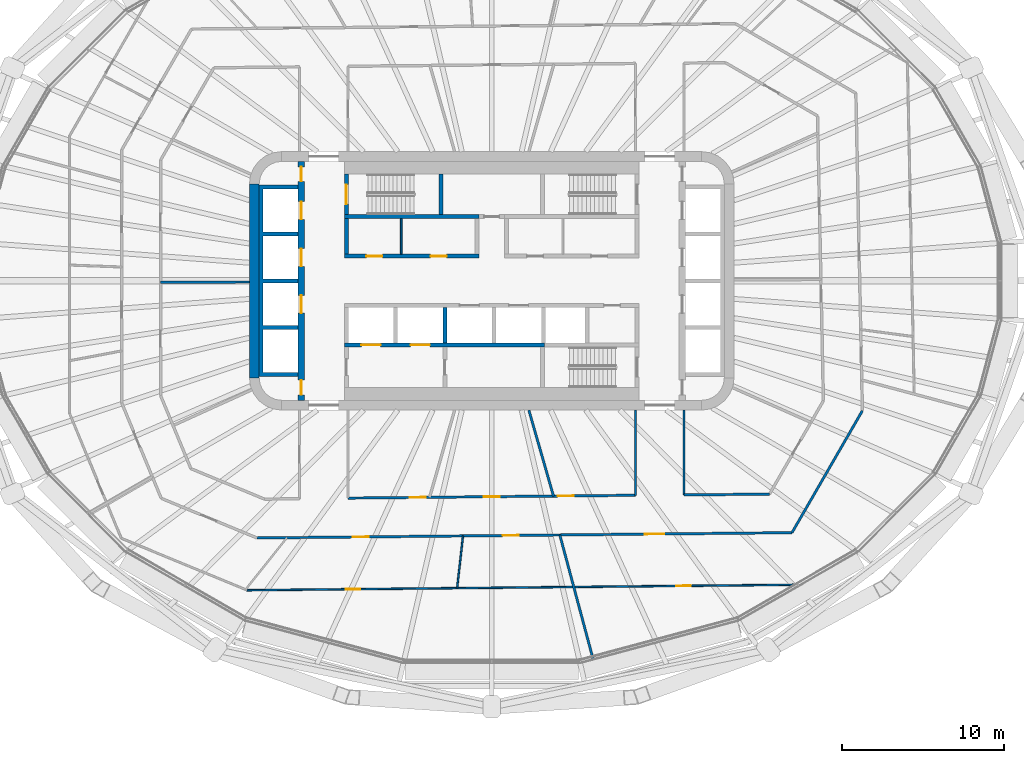
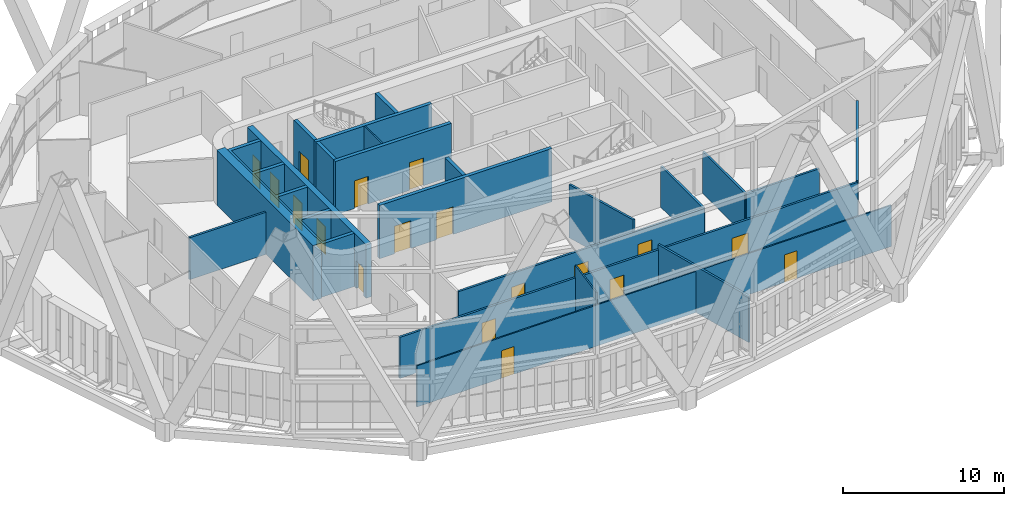
# One storey, part 14 of 25: 22 walls, 18 doors, 18 openings.
"""IFC4 building model written with IfcOpenShell, lengths in metres."""

from ifc_helpers import new_model, si_unit, direction, frame, frame_2d, origin, place, context, subcontext, project, spatial, polyline, rectangle, outline, extrude, material, layer, layer_set, type_object, element, fill, save


model = new_model("IFC4")

# Units and contexts
model_context = context("Model", 3, precision=1e-05, world=origin(), true_north=direction((0.0, 1.0)))
body_context = subcontext(model_context, "Body", "Model", "MODEL_VIEW")
ifc_project = project(units=[si_unit("LENGTHUNIT", "METRE"), si_unit("AREAUNIT", "SQUARE_METRE"), si_unit("VOLUMEUNIT", "CUBIC_METRE"), si_unit("PLANEANGLEUNIT", "RADIAN"), si_unit("MASSUNIT", "GRAM", prefix="KILO")], contexts=[model_context])

# Site, building, storey
site_placement = place(None, origin())
site = spatial("IfcSite", under=ifc_project, at=site_placement, CompositionType="ELEMENT")
building_placement = place(site_placement, origin())
building = spatial("IfcBuilding", under=site, at=building_placement, Name="Sahrelin Media Tower", CompositionType="ELEMENT")
storey_placement = place(building_placement, frame((0.0, 0.0, 79.800048828125)))
storey = spatial("IfcBuildingStorey", under=building, at=storey_placement, Name="L14", CompositionType="ELEMENT", Elevation=79.800048828125)

# Wall
ifc_material_1 = material(Name="Concrete C60/75", Category="concrete")
ifc_layer_1 = layer(ifc_material_1, 0.60009765625)
ifc_layer_set_1 = layer_set([ifc_layer_1], Name="Core wall 600")
wall_type_1 = type_object("IfcWallType", Name="Core wall 600", PredefinedType="SHEAR", material=ifc_layer_set_1)
wall_1_placement = place(storey_placement, frame((-14.699951171875, -6.0, 0.0), z_axis=(0.0, 0.0, 1.0), x_axis=(0.0, 1.0, 0.0)))
element("IfcWall", 1, at=wall_1_placement, inside=storey, type_object=wall_type_1, Name="Core wall W L14", PredefinedType="SHEAR", context=body_context, shape_type="SweptSolid", body=[
    extrude(rectangle(XDim=12.0, YDim=0.60009765625, at=frame_2d((6.0, 0.0))), origin(), (0.0, 0.0, 1.0), 4.199951171875),
])

# Wall, openings, doors
ifc_material_2 = material(Name="Fire-rated gypsum board partition")
ifc_layer_2 = layer(ifc_material_2, 0.25)
ifc_layer_set_2 = layer_set([ifc_layer_2], Name="Fire-rated lobby wall 250")
wall_type_2 = type_object("IfcWallType", Name="Fire-rated lobby wall 250", PredefinedType="PARTITIONING", material=ifc_layer_set_2)
wall_2_placement = place(storey_placement, frame((-9.125, 1.52490234375, 0.0), z_axis=(0.0, 0.0, 1.0), x_axis=(1.0, 0.0, 0.0)))
wall_2 = element("IfcWall", 2, at=wall_2_placement, inside=storey, type_object=wall_type_2, Name="Core lobby wall", PredefinedType="PARTITIONING", context=body_context, shape_type="SweptSolid", body=[
    extrude(rectangle(XDim=8.35009765625, YDim=0.25, at=frame_2d((4.175048828125, 0.0))), origin(), (0.0, 0.0, 1.0), 4.050048828125),
])
opening_1_placement = place(wall_2_placement, frame((1.362548828125, 0.0, 0.0)))
opening_1 = element("IfcOpeningElement", 3, at=opening_1_placement, cuts=wall_2, Name="Opening L14-D07", PredefinedType="OPENING", context=body_context, shape_type="SweptSolid", body=[
    extrude(rectangle(XDim=1.0, YDim=2.10009765625, at=frame_2d((0.5, 1.050048828125))), frame((0.0, 0.125, 0.0), z_axis=(0.0, -1.0, 0.0), x_axis=(1.0, 0.0, 0.0)), (0.0, 0.0, 1.0), 0.25),
])
opening_2_placement = place(wall_2_placement, frame((5.33740234375, 0.0, 0.0)))
opening_2 = element("IfcOpeningElement", 4, at=opening_2_placement, cuts=wall_2, Name="Opening L14-D08", PredefinedType="OPENING", context=body_context, shape_type="SweptSolid", body=[
    extrude(rectangle(XDim=1.0, YDim=2.10009765625, at=frame_2d((0.5, 1.050048828125))), frame((0.0, 0.125, 0.0), z_axis=(0.0, -1.0, 0.0), x_axis=(1.0, 0.0, 0.0)), (0.0, 0.0, 1.0), 0.25),
])
ifc_material_3 = material(Name="Steel fire door leaf", Category="steel")
door_type_1 = type_object("IfcDoorType", Name="Fire door 1000 x 2100 EI 60", OperationType="NOTDEFINED", PredefinedType="DOOR", material=ifc_material_3)
door_1_placement = place(opening_1_placement, origin())
door_1 = element("IfcDoor", 5, at=door_1_placement, inside=storey, type_object=door_type_1, Name="Core room door", OperationType="SINGLE_SWING_LEFT", OverallHeight=2.10009765625, OverallWidth=1.0, PredefinedType="DOOR", context=body_context, shape_type="SweptSolid", body=[
    extrude(rectangle(XDim=1.0, YDim=2.10009765625, at=frame_2d((0.5, 1.050048828125))), frame((0.0, 0.02490234375, 0.0), z_axis=(0.0, -1.0, 0.0), x_axis=(1.0, 0.0, 0.0)), (0.0, 0.0, 1.0), 0.050048828125),
])
fill(opening_1, door_1)
door_2_placement = place(opening_2_placement, origin())
door_2 = element("IfcDoor", 6, at=door_2_placement, inside=storey, type_object=door_type_1, Name="Core room door", OperationType="SINGLE_SWING_LEFT", OverallHeight=2.10009765625, OverallWidth=1.0, PredefinedType="DOOR", context=body_context, shape_type="SweptSolid", body=[
    extrude(rectangle(XDim=1.0, YDim=2.10009765625, at=frame_2d((0.5, 1.050048828125))), frame((0.0, 0.02490234375, 0.0), z_axis=(0.0, -1.0, 0.0), x_axis=(1.0, 0.0, 0.0)), (0.0, 0.0, 1.0), 0.050048828125),
])
fill(opening_2, door_2)

# Walls
wall_3_placement = place(storey_placement, frame((-9.0, 1.64990234375, 0.0), z_axis=(0.0, 0.0, 1.0), x_axis=(0.0, 1.0, 0.0)))
element("IfcWall", 7, at=wall_3_placement, inside=storey, type_object=wall_type_2, Name="Core lobby wall", PredefinedType="PARTITIONING", context=body_context, shape_type="SweptSolid", body=[
    extrude(rectangle(XDim=2.2001953125, YDim=0.25, at=frame_2d((1.10009765625, 0.0))), origin(), (0.0, 0.0, 1.0), 4.050048828125),
])
ifc_layer_3 = layer(ifc_material_2, 0.10009765625)
ifc_layer_set_3 = layer_set([ifc_layer_3], Name="Fire-rated partition 100")
wall_type_3 = type_object("IfcWallType", Name="Fire-rated partition 100", PredefinedType="PARTITIONING", material=ifc_layer_set_3)
wall_4_placement = place(storey_placement, frame((-5.60009765625, 1.64990234375, 0.0), z_axis=(0.0, 0.0, 1.0), x_axis=(0.0, 1.0, 0.0)))
element("IfcWall", 8, at=wall_4_placement, inside=storey, type_object=wall_type_3, Name="Core room partition", PredefinedType="PARTITIONING", context=body_context, shape_type="SweptSolid", body=[
    extrude(rectangle(XDim=2.2001953125, YDim=0.10009765625, at=frame_2d((1.10009765625, 0.0))), origin(), (0.0, 0.0, 1.0), 4.050048828125),
])
ifc_layer_4 = layer(ifc_material_2, 0.14990234375)
ifc_layer_set_4 = layer_set([ifc_layer_4], Name="Fire-rated partition 150")
wall_type_4 = type_object("IfcWallType", Name="Fire-rated partition 150", PredefinedType="PARTITIONING", material=ifc_layer_set_4)
wall_5_placement = place(storey_placement, frame((4.215087890625, -15.72998046875, 0.0), z_axis=(0.0, 0.0, 1.0), x_axis=(0.258746779093, -0.965945187011, 0.0)))
element("IfcWall", 9, at=wall_5_placement, inside=storey, type_object=wall_type_4, Name="Wall", PredefinedType="PARTITIONING", context=body_context, shape_type="SweptSolid", body=[
    extrude(rectangle(XDim=7.988037109375, YDim=0.14990234375, at=frame_2d((3.994140625, 0.0))), origin(), (0.0, 0.0, 1.0), 3.501708984375),
])
wall_6_placement = place(storey_placement, frame((2.2958984375, -8.0, 0.0), z_axis=(0.0, 0.0, 1.0), x_axis=(0.275935525478, -0.961176147113, 0.0)))
element("IfcWall", 10, at=wall_6_placement, inside=storey, type_object=wall_type_4, Name="Wall", PredefinedType="PARTITIONING", context=body_context, shape_type="SweptSolid", body=[
    extrude(rectangle(XDim=5.54833984375, YDim=0.14990234375, at=frame_2d((2.774169921875, 0.0))), origin(), (0.0, 0.0, 1.0), 4.050048828125),
])
wall_7_placement = place(storey_placement, frame((-20.5, -0.093994140625, 0.0), z_axis=(0.0, 0.0, 1.0), x_axis=(0.999990148138, 0.004438876723, 0.0)))
element("IfcWall", 11, at=wall_7_placement, inside=storey, type_object=wall_type_4, Name="Wall", PredefinedType="PARTITIONING", context=body_context, shape_type="SweptSolid", body=[
    extrude(rectangle(XDim=5.5, YDim=0.14990234375, at=frame_2d((2.75, 0.0))), origin(), (0.0, 0.0, 1.0), 3.195068359375),
])

# Wall, openings, doors
wall_8_placement = place(storey_placement, frame((-14.533935546875, -15.916015625, 0.0), z_axis=(0.0, 0.0, 1.0), x_axis=(0.99995100325, 0.009899045409, 0.0)))
wall_8 = element("IfcWall", 12, at=wall_8_placement, inside=storey, type_object=wall_type_4, Name="Wall", PredefinedType="PARTITIONING", context=body_context, shape_type="SweptSolid", body=[
    extrude(rectangle(XDim=33.12255859375, YDim=0.14990234375, at=frame_2d((16.561279296875, 0.0))), origin(), (0.0, 0.0, 1.0), 3.126953125),
])
opening_3_placement = place(wall_8_placement, frame((5.926513671875, 0.0, 0.0)))
opening_3 = element("IfcOpeningElement", 13, at=opening_3_placement, cuts=wall_8, Name="Opening L14-D35", PredefinedType="OPENING", context=body_context, shape_type="SweptSolid", body=[
    extrude(rectangle(XDim=1.0, YDim=2.10009765625, at=frame_2d((0.5, 1.050048828125))), frame((0.0, 0.074951171875, 0.0), z_axis=(0.0, -1.0, 0.0), x_axis=(1.0, 0.0, 0.0)), (0.0, 0.0, 1.0), 0.14990234375),
])
opening_4_placement = place(wall_8_placement, frame((15.202392578125, 0.0, 0.0)))
opening_4 = element("IfcOpeningElement", 14, at=opening_4_placement, cuts=wall_8, Name="Opening L14-D36", PredefinedType="OPENING", context=body_context, shape_type="SweptSolid", body=[
    extrude(rectangle(XDim=1.0, YDim=2.10009765625, at=frame_2d((0.5, 1.050048828125))), frame((0.0, 0.074951171875, 0.0), z_axis=(0.0, -1.0, 0.0), x_axis=(1.0, 0.0, 0.0)), (0.0, 0.0, 1.0), 0.14990234375),
])
opening_5_placement = place(wall_8_placement, frame((24.009521484375, 0.0, 0.0)))
opening_5 = element("IfcOpeningElement", 15, at=opening_5_placement, cuts=wall_8, Name="Opening L14-D38", PredefinedType="OPENING", context=body_context, shape_type="SweptSolid", body=[
    extrude(rectangle(XDim=1.199951171875, YDim=2.10009765625, at=frame_2d((0.60009765625, 1.050048828125))), frame((0.0, 0.074951171875, 0.0), z_axis=(0.0, -1.0, 0.0), x_axis=(1.0, 0.0, 0.0)), (0.0, 0.0, 1.0), 0.14990234375),
])
door_3_placement = place(opening_3_placement, origin())
door_3 = element("IfcDoor", 16, at=door_3_placement, inside=storey, type_object=door_type_1, Name="Fire door", OperationType="SINGLE_SWING_LEFT", OverallHeight=2.10009765625, OverallWidth=1.0, PredefinedType="DOOR", context=body_context, shape_type="SweptSolid", body=[
    extrude(rectangle(XDim=1.0, YDim=2.10009765625, at=frame_2d((0.5, 1.050048828125))), frame((0.0, 0.02490234375, 0.0), z_axis=(0.0, -1.0, 0.0), x_axis=(1.0, 0.0, 0.0)), (0.0, 0.0, 1.0), 0.050048828125),
])
fill(opening_3, door_3)
door_4_placement = place(opening_4_placement, origin())
door_4 = element("IfcDoor", 17, at=door_4_placement, inside=storey, type_object=door_type_1, Name="Fire door", OperationType="SINGLE_SWING_LEFT", OverallHeight=2.10009765625, OverallWidth=1.0, PredefinedType="DOOR", context=body_context, shape_type="SweptSolid", body=[
    extrude(rectangle(XDim=1.0, YDim=2.10009765625, at=frame_2d((0.5, 1.050048828125))), frame((0.0, 0.02490234375, 0.0), z_axis=(0.0, -1.0, 0.0), x_axis=(1.0, 0.0, 0.0)), (0.0, 0.0, 1.0), 0.050048828125),
])
fill(opening_4, door_4)
door_type_2 = type_object("IfcDoorType", Name="Service double door 1200 x 2100 EI 60", OperationType="DOUBLE_DOOR_SINGLE_SWING", PredefinedType="DOOR", material=ifc_material_3)
door_5_placement = place(opening_5_placement, origin())
door_5 = element("IfcDoor", 18, at=door_5_placement, inside=storey, type_object=door_type_2, Name="Service double door", OperationType="DOUBLE_DOOR_SINGLE_SWING", OverallHeight=2.10009765625, OverallWidth=1.199951171875, PredefinedType="DOOR", context=body_context, shape_type="SweptSolid", body=[
    extrude(rectangle(XDim=1.199951171875, YDim=2.10009765625, at=frame_2d((0.60009765625, 1.050048828125))), frame((0.0, 0.02490234375, 0.0), z_axis=(0.0, -1.0, 0.0), x_axis=(1.0, 0.0, 0.0)), (0.0, 0.0, 1.0), 0.050048828125),
])
fill(opening_5, door_5)

wall_9_placement = place(storey_placement, frame((-8.89990234375, -13.448974609375, 0.0), z_axis=(0.0, 0.0, 1.0), x_axis=(0.999950969978, 0.009902405776, 0.0)))
wall_9 = element("IfcWall", 19, at=wall_9_placement, inside=storey, type_object=wall_type_4, Name="Wall", PredefinedType="PARTITIONING", context=body_context, shape_type="SweptSolid", body=[
    extrude(rectangle(XDim=17.80078125, YDim=0.14990234375, at=frame_2d((8.900390625, 0.0))), origin(), (0.0, 0.0, 1.0), 3.126953125),
])
opening_6_placement = place(wall_9_placement, frame((3.81787109375, 0.0, 0.0)))
opening_6 = element("IfcOpeningElement", 20, at=opening_6_placement, cuts=wall_9, Name="Opening L14-D20", PredefinedType="OPENING", context=body_context, shape_type="SweptSolid", body=[
    extrude(rectangle(XDim=1.0, YDim=2.10009765625, at=frame_2d((0.5, 1.050048828125))), frame((0.0, 0.074951171875, 0.0), z_axis=(0.0, -1.0, 0.0), x_axis=(1.0, 0.0, 0.0)), (0.0, 0.0, 1.0), 0.14990234375),
])
opening_7_placement = place(wall_9_placement, frame((8.390625, 0.0, 0.0)))
opening_7 = element("IfcOpeningElement", 21, at=opening_7_placement, cuts=wall_9, Name="Opening L14-D21", PredefinedType="OPENING", context=body_context, shape_type="SweptSolid", body=[
    extrude(rectangle(XDim=1.0, YDim=2.10009765625, at=frame_2d((0.5, 1.050048828125))), frame((0.0, 0.074951171875, 0.0), z_axis=(0.0, -1.0, 0.0), x_axis=(1.0, 0.0, 0.0)), (0.0, 0.0, 1.0), 0.14990234375),
])
opening_8_placement = place(wall_9_placement, frame((12.974365234375, 0.0, 0.0)))
opening_8 = element("IfcOpeningElement", 22, at=opening_8_placement, cuts=wall_9, Name="Opening L14-D22", PredefinedType="OPENING", context=body_context, shape_type="SweptSolid", body=[
    extrude(rectangle(XDim=1.0, YDim=2.10009765625, at=frame_2d((0.5, 1.050048828125))), frame((0.0, 0.074951171875, 0.0), z_axis=(0.0, -1.0, 0.0), x_axis=(1.0, 0.0, 0.0)), (0.0, 0.0, 1.0), 0.14990234375),
])
door_6_placement = place(opening_6_placement, origin())
door_6 = element("IfcDoor", 23, at=door_6_placement, inside=storey, type_object=door_type_1, Name="Fire door", OperationType="SINGLE_SWING_LEFT", OverallHeight=2.10009765625, OverallWidth=1.0, PredefinedType="DOOR", context=body_context, shape_type="SweptSolid", body=[
    extrude(rectangle(XDim=1.0, YDim=2.10009765625, at=frame_2d((0.5, 1.050048828125))), frame((0.0, 0.02490234375, 0.0), z_axis=(0.0, -1.0, 0.0), x_axis=(1.0, 0.0, 0.0)), (0.0, 0.0, 1.0), 0.050048828125),
])
fill(opening_6, door_6)
door_7_placement = place(opening_7_placement, origin())
door_7 = element("IfcDoor", 24, at=door_7_placement, inside=storey, type_object=door_type_1, Name="Fire door", OperationType="SINGLE_SWING_LEFT", OverallHeight=2.10009765625, OverallWidth=1.0, PredefinedType="DOOR", context=body_context, shape_type="SweptSolid", body=[
    extrude(rectangle(XDim=1.0, YDim=2.10009765625, at=frame_2d((0.5, 1.050048828125))), frame((0.0, 0.02490234375, 0.0), z_axis=(0.0, -1.0, 0.0), x_axis=(1.0, 0.0, 0.0)), (0.0, 0.0, 1.0), 0.050048828125),
])
fill(opening_7, door_7)
door_8_placement = place(opening_8_placement, origin())
door_8 = element("IfcDoor", 25, at=door_8_placement, inside=storey, type_object=door_type_1, Name="Fire door", OperationType="SINGLE_SWING_RIGHT", OverallHeight=2.10009765625, OverallWidth=1.0, PredefinedType="DOOR", context=body_context, shape_type="SweptSolid", body=[
    extrude(rectangle(XDim=1.0, YDim=2.10009765625, at=frame_2d((0.5, 1.050048828125))), frame((0.0, 0.02490234375, 0.0), z_axis=(0.0, -1.0, 0.0), x_axis=(1.0, 0.0, 0.0)), (0.0, 0.0, 1.0), 0.050048828125),
])
fill(opening_8, door_8)

# Walls
wall_10_placement = place(storey_placement, frame((11.89990234375, -13.2529296875, 0.0), z_axis=(0.0, 0.0, 1.0), x_axis=(0.999951309192, 0.009868092237, 0.0)))
element("IfcWall", 26, at=wall_10_placement, inside=storey, type_object=wall_type_4, Name="Wall", PredefinedType="PARTITIONING", context=body_context, shape_type="SweptSolid", body=[
    extrude(rectangle(XDim=5.29443359375, YDim=0.14990234375, at=frame_2d((2.647216796875, 0.0))), origin(), (0.0, 0.0, 1.0), 3.195068359375),
])
wall_11_placement = place(storey_placement, frame((18.5869140625, -15.5869140625, 0.0), z_axis=(0.0, 0.0, 1.0), x_axis=(0.499993286632, 0.866029279715, 0.0)))
element("IfcWall", 27, at=wall_11_placement, inside=storey, type_object=wall_type_4, Name="Wall", PredefinedType="PARTITIONING", context=body_context, shape_type="SweptSolid", body=[
    extrude(rectangle(XDim=8.71337890625, YDim=0.14990234375, at=frame_2d((4.356689453125, 0.0))), origin(), (0.0, 0.0, 1.0), 3.195068359375),
])
wall_12_placement = place(storey_placement, frame((11.89990234375, -13.2529296875, 0.0), z_axis=(0.0, 0.0, 1.0), x_axis=(0.0, 1.0, 0.0)))
element("IfcWall", 28, at=wall_12_placement, inside=storey, type_object=wall_type_4, Name="Wall", PredefinedType="PARTITIONING", context=body_context, shape_type="SweptSolid", body=[
    extrude(rectangle(XDim=5.2529296875, YDim=0.14990234375, at=frame_2d((2.62646484375, 0.0))), origin(), (0.0, 0.0, 1.0), 3.195068359375),
])
wall_13_placement = place(storey_placement, frame((8.89990234375, -13.282958984375, 0.0), z_axis=(0.0, 0.0, 1.0), x_axis=(0.0, 1.0, 0.0)))
element("IfcWall", 29, at=wall_13_placement, inside=storey, type_object=wall_type_4, Name="Wall", PredefinedType="PARTITIONING", context=body_context, shape_type="SweptSolid", body=[
    extrude(rectangle(XDim=5.282958984375, YDim=0.14990234375, at=frame_2d((2.6416015625, 0.0))), origin(), (0.0, 0.0, 1.0), 3.126953125),
])

# Wall, openings, doors
ifc_layer_5 = layer(ifc_material_1, 0.25)
ifc_layer_set_5 = layer_set([ifc_layer_5], Name="Lift shaft wall 250")
wall_type_5 = type_object("IfcWallType", Name="Lift shaft wall 250", PredefinedType="SOLIDWALL", material=ifc_layer_set_5)
wall_14_placement = place(storey_placement, frame((-9.125, -3.97509765625, 0.0), z_axis=(0.0, 0.0, 1.0), x_axis=(1.0, 0.0, 0.0)))
wall_14 = element("IfcWall", 30, at=wall_14_placement, inside=storey, type_object=wall_type_5, Name="Lift shaft wall", PredefinedType="SOLIDWALL", context=body_context, shape_type="SweptSolid", body=[
    extrude(rectangle(XDim=12.39990234375, YDim=0.25, at=frame_2d((6.199951171875, 0.0))), origin(), (0.0, 0.0, 1.0), 4.050048828125),
])
opening_9_placement = place(wall_14_placement, frame((1.050048828125, 0.0, 0.0)))
opening_9 = element("IfcOpeningElement", 31, at=opening_9_placement, cuts=wall_14, Name="Opening L14-LD-FF1", PredefinedType="OPENING", context=body_context, shape_type="SweptSolid", body=[
    extrude(rectangle(XDim=1.199951171875, YDim=2.10009765625, at=frame_2d((0.60009765625, 1.050048828125))), frame((0.0, 0.125, 0.0), z_axis=(0.0, -1.0, 0.0), x_axis=(1.0, 0.0, 0.0)), (0.0, 0.0, 1.0), 0.25),
])
opening_10_placement = place(wall_14_placement, frame((4.10009765625, 0.0, 0.0)))
opening_10 = element("IfcOpeningElement", 32, at=opening_10_placement, cuts=wall_14, Name="Opening L14-LD-FF2", PredefinedType="OPENING", context=body_context, shape_type="SweptSolid", body=[
    extrude(rectangle(XDim=1.199951171875, YDim=2.10009765625, at=frame_2d((0.60009765625, 1.050048828125))), frame((0.0, 0.125, 0.0), z_axis=(0.0, -1.0, 0.0), x_axis=(1.0, 0.0, 0.0)), (0.0, 0.0, 1.0), 0.25),
])
ifc_material_4 = material(Name="Stainless steel", Category="steel")
door_type_3 = type_object("IfcDoorType", Name="Lift landing door 1200 x 2100 EI 120", OperationType="DOUBLE_DOOR_SLIDING", PredefinedType="DOOR", material=ifc_material_4)
door_9_placement = place(opening_9_placement, origin())
door_9 = element("IfcDoor", 33, at=door_9_placement, inside=storey, type_object=door_type_3, Name="Lift landing door FF1", OperationType="DOUBLE_DOOR_SLIDING", OverallHeight=2.10009765625, OverallWidth=1.199951171875, PredefinedType="DOOR", context=body_context, shape_type="SweptSolid", body=[
    extrude(rectangle(XDim=1.199951171875, YDim=2.10009765625, at=frame_2d((0.60009765625, 1.050048828125))), frame((0.0, 0.02490234375, 0.0), z_axis=(0.0, -1.0, 0.0), x_axis=(1.0, 0.0, 0.0)), (0.0, 0.0, 1.0), 0.050048828125),
])
fill(opening_9, door_9)
door_10_placement = place(opening_10_placement, origin())
door_10 = element("IfcDoor", 34, at=door_10_placement, inside=storey, type_object=door_type_3, Name="Lift landing door FF2", OperationType="DOUBLE_DOOR_SLIDING", OverallHeight=2.10009765625, OverallWidth=1.199951171875, PredefinedType="DOOR", context=body_context, shape_type="SweptSolid", body=[
    extrude(rectangle(XDim=1.199951171875, YDim=2.10009765625, at=frame_2d((0.60009765625, 1.050048828125))), frame((0.0, 0.02490234375, 0.0), z_axis=(0.0, -1.0, 0.0), x_axis=(1.0, 0.0, 0.0)), (0.0, 0.0, 1.0), 0.050048828125),
])
fill(opening_10, door_10)

# Walls
wall_15_placement = place(storey_placement, frame((-2.89990234375, -3.85009765625, 0.0), z_axis=(0.0, 0.0, 1.0), x_axis=(0.0, 1.0, 0.0)))
element("IfcWall", 35, at=wall_15_placement, inside=storey, type_object=wall_type_5, Name="Lift shaft wall", PredefinedType="SOLIDWALL", context=body_context, shape_type="SweptSolid", body=[
    extrude(rectangle(XDim=2.2001953125, YDim=0.25, at=frame_2d((1.10009765625, 0.0))), origin(), (0.0, 0.0, 1.0), 4.050048828125),
])
wall_16_placement = place(storey_placement, origin())
element("IfcWall", 36, at=wall_16_placement, inside=storey, type_object=wall_type_5, Name="Lift shaft wall", PredefinedType="SOLIDWALL", context=body_context, shape_type="SweptSolid", body=[
    extrude(outline(polyline([(-12.0, -5.925048828125), (-12.0, -5.675048828125), (-14.14990234375, -5.675048828125), (-14.14990234375, -3.02490234375), (-12.0, -3.02490234375), (-12.0, -2.77490234375), (-14.14990234375, -2.77490234375), (-14.14990234375, -0.125), (-12.0, -0.125), (-12.0, 0.125), (-14.14990234375, 0.125), (-14.14990234375, 2.77490234375), (-12.0, 2.77490234375), (-12.0, 3.02490234375), (-14.14990234375, 3.02490234375), (-14.14990234375, 5.675048828125), (-12.0, 5.675048828125), (-12.0, 5.925048828125), (-14.14990234375, 5.925048828125), (-14.39990234375, 5.925048828125), (-14.39990234375, 5.675048828125), (-14.39990234375, 3.02490234375), (-14.39990234375, 2.77490234375), (-14.39990234375, 0.125), (-14.39990234375, -0.125), (-14.39990234375, -2.77490234375), (-14.39990234375, -3.02490234375), (-14.39990234375, -5.675048828125), (-14.39990234375, -5.925048828125), (-14.14990234375, -5.925048828125), (-12.0, -5.925048828125)])), origin(), (0.0, 0.0, 1.0), 4.050048828125),
])

# Wall, openings, doors
ifc_layer_6 = layer(ifc_material_1, 0.39990234375)
ifc_layer_set_6 = layer_set([ifc_layer_6], Name="Lift shaft wall 400")
wall_type_6 = type_object("IfcWallType", Name="Lift shaft wall 400", PredefinedType="SOLIDWALL", material=ifc_layer_set_6)
wall_17_placement = place(storey_placement, frame((-11.800048828125, -7.39990234375, 0.0), z_axis=(0.0, 0.0, 1.0), x_axis=(0.0, 1.0, 0.0)))
wall_17 = element("IfcWall", 37, at=wall_17_placement, inside=storey, type_object=wall_type_6, Name="Lift shaft wall", PredefinedType="SOLIDWALL", context=body_context, shape_type="SweptSolid", body=[
    extrude(rectangle(XDim=14.7998046875, YDim=0.39990234375, at=frame_2d((7.39990234375, 0.0))), origin(), (0.0, 0.0, 1.0), 4.050048828125),
])
opening_11_placement = place(wall_17_placement, frame((11.199951171875, 0.0, 0.0)))
opening_11 = element("IfcOpeningElement", 38, at=opening_11_placement, cuts=wall_17, Name="Opening L14-LD-LR1", PredefinedType="OPENING", context=body_context, shape_type="SweptSolid", body=[
    extrude(rectangle(XDim=1.10009765625, YDim=2.10009765625, at=frame_2d((0.550048828125, 1.050048828125))), frame((0.0, 0.199951171875, 0.0), z_axis=(0.0, -1.0, 0.0), x_axis=(1.0, 0.0, 0.0)), (0.0, 0.0, 1.0), 0.39990234375),
])
opening_12_placement = place(wall_17_placement, frame((8.300048828125, 0.0, 0.0)))
opening_12 = element("IfcOpeningElement", 39, at=opening_12_placement, cuts=wall_17, Name="Opening L14-LD-LR2", PredefinedType="OPENING", context=body_context, shape_type="SweptSolid", body=[
    extrude(rectangle(XDim=1.10009765625, YDim=2.10009765625, at=frame_2d((0.550048828125, 1.050048828125))), frame((0.0, 0.199951171875, 0.0), z_axis=(0.0, -1.0, 0.0), x_axis=(1.0, 0.0, 0.0)), (0.0, 0.0, 1.0), 0.39990234375),
])
opening_13_placement = place(wall_17_placement, frame((5.39990234375, 0.0, 0.0)))
opening_13 = element("IfcOpeningElement", 40, at=opening_13_placement, cuts=wall_17, Name="Opening L14-LD-LR3", PredefinedType="OPENING", context=body_context, shape_type="SweptSolid", body=[
    extrude(rectangle(XDim=1.10009765625, YDim=2.10009765625, at=frame_2d((0.550048828125, 1.050048828125))), frame((0.0, 0.199951171875, 0.0), z_axis=(0.0, -1.0, 0.0), x_axis=(1.0, 0.0, 0.0)), (0.0, 0.0, 1.0), 0.39990234375),
])
opening_14_placement = place(wall_17_placement, frame((13.552490234375, 0.0, 0.0)))
opening_14 = element("IfcOpeningElement", 41, at=opening_14_placement, cuts=wall_17, Name="Opening L14-D12", PredefinedType="OPENING", context=body_context, shape_type="SweptSolid", body=[
    extrude(rectangle(XDim=0.89990234375, YDim=2.10009765625, at=frame_2d((0.449951171875, 1.050048828125))), frame((0.0, 0.199951171875, 0.0), z_axis=(0.0, -1.0, 0.0), x_axis=(1.0, 0.0, 0.0)), (0.0, 0.0, 1.0), 0.39990234375),
])
opening_15_placement = place(wall_17_placement, frame((0.347412109375, 0.0, 0.0)))
opening_15 = element("IfcOpeningElement", 42, at=opening_15_placement, cuts=wall_17, Name="Opening L14-D13", PredefinedType="OPENING", context=body_context, shape_type="SweptSolid", body=[
    extrude(rectangle(XDim=0.89990234375, YDim=2.10009765625, at=frame_2d((0.449951171875, 1.050048828125))), frame((0.0, 0.199951171875, 0.0), z_axis=(0.0, -1.0, 0.0), x_axis=(1.0, 0.0, 0.0)), (0.0, 0.0, 1.0), 0.39990234375),
])
door_type_4 = type_object("IfcDoorType", Name="Lift landing door 1100 x 2100 EI 120", OperationType="DOUBLE_DOOR_SLIDING", PredefinedType="DOOR", material=ifc_material_4)
door_11_placement = place(opening_11_placement, origin())
door_11 = element("IfcDoor", 43, at=door_11_placement, inside=storey, type_object=door_type_4, Name="Lift landing door LR1", OperationType="DOUBLE_DOOR_SLIDING", OverallHeight=2.10009765625, OverallWidth=1.10009765625, PredefinedType="DOOR", context=body_context, shape_type="SweptSolid", body=[
    extrude(rectangle(XDim=1.10009765625, YDim=2.10009765625, at=frame_2d((0.550048828125, 1.050048828125))), frame((0.0, 0.02490234375, 0.0), z_axis=(0.0, -1.0, 0.0), x_axis=(1.0, 0.0, 0.0)), (0.0, 0.0, 1.0), 0.050048828125),
])
fill(opening_11, door_11)
door_12_placement = place(opening_12_placement, origin())
door_12 = element("IfcDoor", 44, at=door_12_placement, inside=storey, type_object=door_type_4, Name="Lift landing door LR2", OperationType="DOUBLE_DOOR_SLIDING", OverallHeight=2.10009765625, OverallWidth=1.10009765625, PredefinedType="DOOR", context=body_context, shape_type="SweptSolid", body=[
    extrude(rectangle(XDim=1.10009765625, YDim=2.10009765625, at=frame_2d((0.550048828125, 1.050048828125))), frame((0.0, 0.02490234375, 0.0), z_axis=(0.0, -1.0, 0.0), x_axis=(1.0, 0.0, 0.0)), (0.0, 0.0, 1.0), 0.050048828125),
])
fill(opening_12, door_12)
door_13_placement = place(opening_13_placement, origin())
door_13 = element("IfcDoor", 45, at=door_13_placement, inside=storey, type_object=door_type_4, Name="Lift landing door LR3", OperationType="DOUBLE_DOOR_SLIDING", OverallHeight=2.10009765625, OverallWidth=1.10009765625, PredefinedType="DOOR", context=body_context, shape_type="SweptSolid", body=[
    extrude(rectangle(XDim=1.10009765625, YDim=2.10009765625, at=frame_2d((0.550048828125, 1.050048828125))), frame((0.0, 0.02490234375, 0.0), z_axis=(0.0, -1.0, 0.0), x_axis=(1.0, 0.0, 0.0)), (0.0, 0.0, 1.0), 0.050048828125),
])
fill(opening_13, door_13)
door_type_5 = type_object("IfcDoorType", Name="Riser door 900 x 2100 EI 120", OperationType="NOTDEFINED", PredefinedType="DOOR", material=ifc_material_3)
door_14_placement = place(opening_14_placement, origin())
door_14 = element("IfcDoor", 46, at=door_14_placement, inside=storey, type_object=door_type_5, Name="Riser door", OperationType="SINGLE_SWING_LEFT", OverallHeight=2.10009765625, OverallWidth=0.89990234375, PredefinedType="DOOR", context=body_context, shape_type="SweptSolid", body=[
    extrude(rectangle(XDim=0.89990234375, YDim=2.10009765625, at=frame_2d((0.449951171875, 1.050048828125))), frame((0.0, 0.02490234375, 0.0), z_axis=(0.0, -1.0, 0.0), x_axis=(1.0, 0.0, 0.0)), (0.0, 0.0, 1.0), 0.050048828125),
])
fill(opening_14, door_14)
door_15_placement = place(opening_15_placement, origin())
door_15 = element("IfcDoor", 47, at=door_15_placement, inside=storey, type_object=door_type_5, Name="Riser door", OperationType="SINGLE_SWING_LEFT", OverallHeight=2.10009765625, OverallWidth=0.89990234375, PredefinedType="DOOR", context=body_context, shape_type="SweptSolid", body=[
    extrude(rectangle(XDim=0.89990234375, YDim=2.10009765625, at=frame_2d((0.449951171875, 1.050048828125))), frame((0.0, 0.02490234375, 0.0), z_axis=(0.0, -1.0, 0.0), x_axis=(1.0, 0.0, 0.0)), (0.0, 0.0, 1.0), 0.050048828125),
])
fill(opening_15, door_15)

ifc_material_5 = material(Name="Gypsum board partition")
ifc_layer_7 = layer(ifc_material_5, 0.10009765625)
ifc_layer_set_7 = layer_set([ifc_layer_7], Name="Partition 100")
wall_type_7 = type_object("IfcWallType", Name="Partition 100", PredefinedType="PARTITIONING", material=ifc_layer_set_7)
wall_18_placement = place(storey_placement, frame((-15.160888671875, -19.152099609375, 0.0), z_axis=(0.0, 0.0, 1.0), x_axis=(0.999950294367, 0.009970395935, 0.0)))
wall_18 = element("IfcWall", 48, at=wall_18_placement, inside=storey, type_object=wall_type_7, Name="Wall", PredefinedType="PARTITIONING", context=body_context, shape_type="SweptSolid", body=[
    extrude(rectangle(XDim=34.3056640625, YDim=0.10009765625, at=frame_2d((17.15283203125, 0.0))), origin(), (0.0, 0.0, 1.0), 3.126953125),
])
opening_16_placement = place(wall_18_placement, frame((6.110595703125, 0.0, 0.0)))
opening_16 = element("IfcOpeningElement", 49, at=opening_16_placement, cuts=wall_18, Name="Opening L14-D37", PredefinedType="OPENING", context=body_context, shape_type="SweptSolid", body=[
    extrude(rectangle(XDim=0.89990234375, YDim=2.10009765625, at=frame_2d((0.449951171875, 1.050048828125))), frame((0.0, 0.050048828125, 0.0), z_axis=(0.0, -1.0, 0.0), x_axis=(1.0, 0.0, 0.0)), (0.0, 0.0, 1.0), 0.10009765625),
])
opening_17_placement = place(wall_18_placement, frame((26.572998046875, 0.0, 0.0)))
opening_17 = element("IfcOpeningElement", 50, at=opening_17_placement, cuts=wall_18, Name="Opening L14-D39", PredefinedType="OPENING", context=body_context, shape_type="SweptSolid", body=[
    extrude(rectangle(XDim=0.89990234375, YDim=2.10009765625, at=frame_2d((0.449951171875, 1.050048828125))), frame((0.0, 0.050048828125, 0.0), z_axis=(0.0, -1.0, 0.0), x_axis=(1.0, 0.0, 0.0)), (0.0, 0.0, 1.0), 0.10009765625),
])
ifc_material_6 = material(Name="Timber door leaf", Category="wood")
door_type_6 = type_object("IfcDoorType", Name="Single door 900 x 2100", OperationType="NOTDEFINED", PredefinedType="DOOR", material=ifc_material_6)
door_16_placement = place(opening_16_placement, origin())
door_16 = element("IfcDoor", 51, at=door_16_placement, inside=storey, type_object=door_type_6, Name="Single door", OperationType="SINGLE_SWING_RIGHT", OverallHeight=2.10009765625, OverallWidth=0.89990234375, PredefinedType="DOOR", context=body_context, shape_type="SweptSolid", body=[
    extrude(rectangle(XDim=0.89990234375, YDim=2.10009765625, at=frame_2d((0.449951171875, 1.050048828125))), frame((0.0, 0.02490234375, 0.0), z_axis=(0.0, -1.0, 0.0), x_axis=(1.0, 0.0, 0.0)), (0.0, 0.0, 1.0), 0.050048828125),
])
fill(opening_16, door_16)
door_17_placement = place(opening_17_placement, origin())
door_17 = element("IfcDoor", 52, at=door_17_placement, inside=storey, type_object=door_type_6, Name="Single door", OperationType="SINGLE_SWING_LEFT", OverallHeight=2.10009765625, OverallWidth=0.89990234375, PredefinedType="DOOR", context=body_context, shape_type="SweptSolid", body=[
    extrude(rectangle(XDim=0.89990234375, YDim=2.10009765625, at=frame_2d((0.449951171875, 1.050048828125))), frame((0.0, 0.02490234375, 0.0), z_axis=(0.0, -1.0, 0.0), x_axis=(1.0, 0.0, 0.0)), (0.0, 0.0, 1.0), 0.050048828125),
])
fill(opening_17, door_17)

# Wall
wall_19_placement = place(storey_placement, frame((-2.14306640625, -19.02294921875, 0.0), z_axis=(0.0, 0.0, 1.0), x_axis=(0.111855891417, 0.993724438441, 0.0)))
element("IfcWall", 53, at=wall_19_placement, inside=storey, type_object=wall_type_7, Name="Wall", PredefinedType="PARTITIONING", context=body_context, shape_type="SweptSolid", body=[
    extrude(rectangle(XDim=3.25439453125, YDim=0.10009765625, at=frame_2d((1.627197265625, 0.0))), origin(), (0.0, 0.0, 1.0), 4.050048828125),
])

# Wall, opening, door
ifc_layer_8 = layer(ifc_material_1, 0.25)
ifc_layer_set_8 = layer_set([ifc_layer_8], Name="Stair enclosure wall 250")
wall_type_8 = type_object("IfcWallType", Name="Stair enclosure wall 250", PredefinedType="SOLIDWALL", material=ifc_layer_set_8)
wall_20_placement = place(storey_placement, frame((-9.0, 4.10009765625, 0.0), z_axis=(0.0, 0.0, 1.0), x_axis=(0.0, 1.0, 0.0)))
wall_20 = element("IfcWall", 54, at=wall_20_placement, inside=storey, type_object=wall_type_8, Name="Stair enclosure wall", PredefinedType="SOLIDWALL", context=body_context, shape_type="SweptSolid", body=[
    extrude(rectangle(XDim=2.5, YDim=0.25, at=frame_2d((1.25, 0.0))), origin(), (0.0, 0.0, 1.0), 4.050048828125),
])
opening_18_placement = place(wall_20_placement, frame((0.64990234375, 0.0, 0.0)))
opening_18 = element("IfcOpeningElement", 55, at=opening_18_placement, cuts=wall_20, Name="Opening L14-D01", PredefinedType="OPENING", context=body_context, shape_type="SweptSolid", body=[
    extrude(rectangle(XDim=1.199951171875, YDim=2.10009765625, at=frame_2d((0.60009765625, 1.050048828125))), frame((0.0, 0.125, 0.0), z_axis=(0.0, -1.0, 0.0), x_axis=(1.0, 0.0, 0.0)), (0.0, 0.0, 1.0), 0.25),
])
door_type_7 = type_object("IfcDoorType", Name="Stair door 1200 x 2100 EI 120", OperationType="NOTDEFINED", PredefinedType="DOOR", material=ifc_material_3)
door_18_placement = place(opening_18_placement, origin())
door_18 = element("IfcDoor", 56, at=door_18_placement, inside=storey, type_object=door_type_7, Name="Stair door ST1", OperationType="SINGLE_SWING_RIGHT", OverallHeight=2.10009765625, OverallWidth=1.199951171875, PredefinedType="DOOR", context=body_context, shape_type="SweptSolid", body=[
    extrude(rectangle(XDim=1.199951171875, YDim=2.10009765625, at=frame_2d((0.60009765625, 1.050048828125))), frame((0.0, 0.02490234375, 0.0), z_axis=(0.0, -1.0, 0.0), x_axis=(1.0, 0.0, 0.0)), (0.0, 0.0, 1.0), 0.050048828125),
])
fill(opening_18, door_18)

# Walls
wall_21_placement = place(storey_placement, frame((-3.14990234375, 4.10009765625, 0.0), z_axis=(0.0, 0.0, 1.0), x_axis=(0.0, 1.0, 0.0)))
element("IfcWall", 57, at=wall_21_placement, inside=storey, type_object=wall_type_8, Name="Stair enclosure wall", PredefinedType="SOLIDWALL", context=body_context, shape_type="SweptSolid", body=[
    extrude(rectangle(XDim=2.5, YDim=0.25, at=frame_2d((1.25, 0.0))), origin(), (0.0, 0.0, 1.0), 4.050048828125),
])
wall_22_placement = place(storey_placement, frame((-9.125, 3.97509765625, 0.0), z_axis=(0.0, 0.0, 1.0), x_axis=(1.0, 0.0, 0.0)))
element("IfcWall", 58, at=wall_22_placement, inside=storey, type_object=wall_type_8, Name="Stair enclosure wall", PredefinedType="SOLIDWALL", context=body_context, shape_type="SweptSolid", body=[
    extrude(rectangle(XDim=8.35009765625, YDim=0.25, at=frame_2d((4.175048828125, 0.0))), origin(), (0.0, 0.0, 1.0), 4.050048828125),
])

save(model, "model.ifc")
